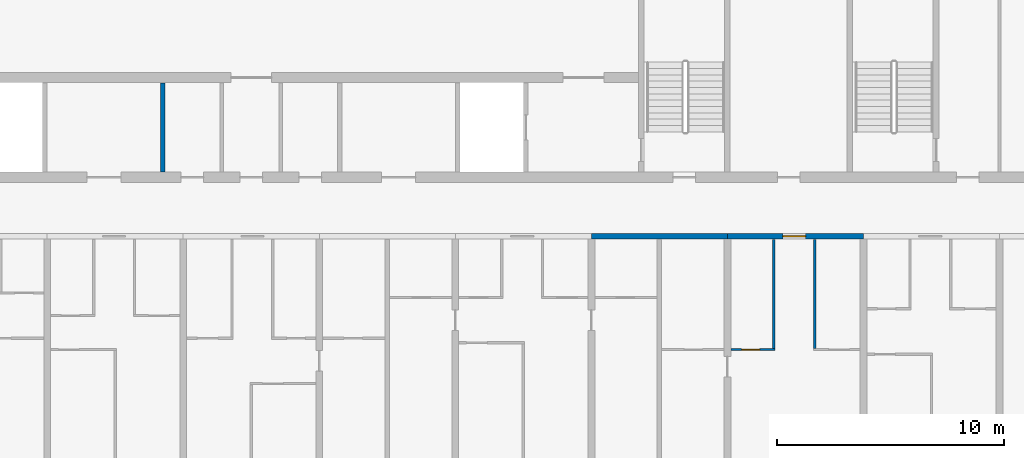
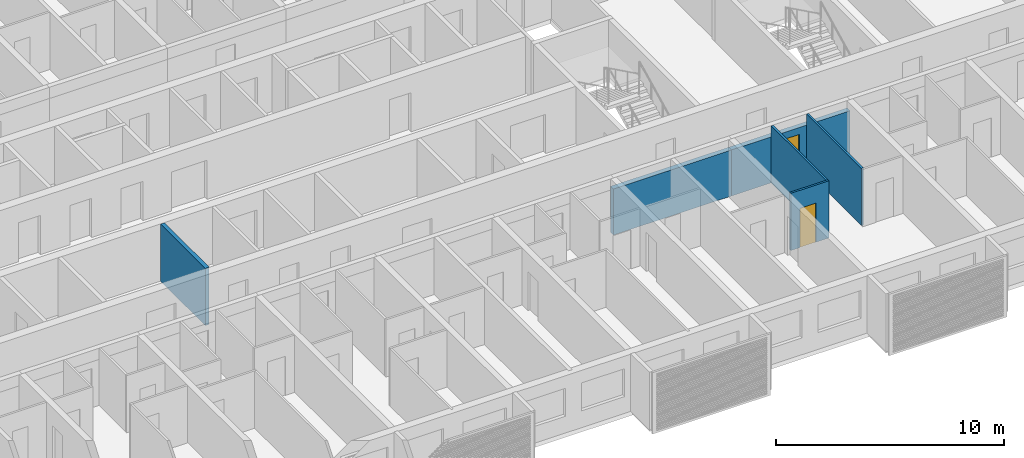
# One storey, part 6 of 33: 6 walls, 2 doors, 2 openings.
"""IFC4 building model written with IfcOpenShell, lengths in metres."""

from ifc_helpers import new_model, si_unit, direction, frame, frame_2d, origin, place, context, subcontext, project, spatial, rectangle, extrude, material, layer, layer_set, type_object, element, fill, save


model = new_model("IFC4")

# Units and contexts
model_context = context("Model", 3, precision=1e-05, world=origin(), true_north=direction((0.0, 1.0)))
body_context = subcontext(model_context, "Body", "Model", "MODEL_VIEW")
ifc_project = project(units=[si_unit("LENGTHUNIT", "METRE"), si_unit("AREAUNIT", "SQUARE_METRE"), si_unit("VOLUMEUNIT", "CUBIC_METRE"), si_unit("PLANEANGLEUNIT", "RADIAN"), si_unit("MASSUNIT", "GRAM", prefix="KILO")], contexts=[model_context])

# Site, building, storey
site_placement = place(None, origin())
site = spatial("IfcSite", under=ifc_project, at=site_placement, CompositionType="ELEMENT")
building_placement = place(site_placement, origin())
building = spatial("IfcBuilding", under=site, at=building_placement, Name="Poui Terraces", CompositionType="ELEMENT")
storey_placement = place(building_placement, frame((0.0, 0.0, 132.300048828125)))
storey = spatial("IfcBuildingStorey", under=building, at=storey_placement, Name="L36", CompositionType="ELEMENT", Elevation=132.300048828125)

# Wall
ifc_material_1 = material(Name="Concrete 65 MPa", Category="concrete")
ifc_layer_1 = layer(ifc_material_1, 0.25)
ifc_layer_set_1 = layer_set([ifc_layer_1], Name="Concrete 65 MPa")
wall_type_1 = type_object("IfcWallType", Name="CORRIDOR WALL 250 65MPa", PredefinedType="SHEAR", material=ifc_layer_set_1)
wall_1_placement = place(storey_placement, frame((66.0, 12.0, 0.0), z_axis=(0.0, 0.0, 1.0), x_axis=(1.0, 0.0, 0.0)))
element("IfcWall", 1, at=wall_1_placement, inside=storey, type_object=wall_type_1, Name="CORRIDOR WALL LINE B BAY 10", PredefinedType="SHEAR", context=body_context, shape_type="SweptSolid", body=[
    extrude(rectangle(XDim=6.0, YDim=0.25, at=frame_2d((3.0, 0.0))), origin(), (0.0, 0.0, 1.0), 2.469970703125),
])

# Wall, opening, door
wall_2_placement = place(storey_placement, frame((72.0, 12.0, 0.0), z_axis=(0.0, 0.0, 1.0), x_axis=(1.0, 0.0, 0.0)))
wall_2 = element("IfcWall", 2, at=wall_2_placement, inside=storey, type_object=wall_type_1, Name="CORRIDOR WALL LINE B BAY 11", PredefinedType="SHEAR", context=body_context, shape_type="SweptSolid", body=[
    extrude(rectangle(XDim=6.0, YDim=0.25, at=frame_2d((3.0, 0.0))), origin(), (0.0, 0.0, 1.0), 2.469970703125),
])
opening_1_placement = place(wall_2_placement, frame((2.449951171875, 0.0, 0.0)))
opening_1 = element("IfcOpeningElement", 3, at=opening_1_placement, cuts=wall_2, Name="Opening FD30S", PredefinedType="OPENING", context=body_context, shape_type="SweptSolid", body=[
    extrude(rectangle(XDim=1.0, YDim=2.10009765625, at=frame_2d((0.5, 1.050048828125))), frame((0.0, 0.135009765625, 0.0), z_axis=(0.0, -1.0, 0.0), x_axis=(1.0, 0.0, 0.0)), (0.0, 0.0, 1.0), 0.27001953125),
])
ifc_material_2 = material(Name="Steel fire door", Category="steel")
door_type_1 = type_object("IfcDoorType", Name="FLAT ENTRANCE DOOR 1000 X 2100", OperationType="NOTDEFINED", PredefinedType="DOOR", material=ifc_material_2)
door_1_placement = place(opening_1_placement, frame((1.0, 0.0, 0.0), z_axis=(0.0, 0.0, 1.0), x_axis=(-1.0, 0.0, 0.0)))
door_1 = element("IfcDoor", 4, at=door_1_placement, inside=storey, type_object=door_type_1, Name="FLAT ENTRANCE DOOR 110", OperationType="SINGLE_SWING_RIGHT", OverallHeight=2.10009765625, OverallWidth=1.0, PredefinedType="DOOR", context=body_context, shape_type="SweptSolid", body=[
    extrude(rectangle(XDim=1.0, YDim=2.10009765625, at=frame_2d((0.5, 1.050048828125))), frame((0.0, 0.02490234375, 0.0), z_axis=(0.0, -1.0, 0.0), x_axis=(1.0, 0.0, 0.0)), (0.0, 0.0, 1.0), 0.050048828125),
])
fill(opening_1, door_1)

ifc_material_3 = material(Name="Plasterboard partition")
ifc_layer_2 = layer(ifc_material_3, 0.10009765625)
ifc_layer_set_2 = layer_set([ifc_layer_2], Name="Plasterboard partition")
wall_type_2 = type_object("IfcWallType", Name="FLAT PARTITION 100", PredefinedType="PARTITIONING", material=ifc_layer_set_2)
wall_3_placement = place(storey_placement, frame((72.159912109375, 7.0, 0.0), z_axis=(0.0, 0.0, 1.0), x_axis=(1.0, 0.0, 0.0)))
wall_3 = element("IfcWall", 5, at=wall_3_placement, inside=storey, type_object=wall_type_2, Name="FLAT PARTITION 100", PredefinedType="PARTITIONING", context=body_context, shape_type="SweptSolid", body=[
    extrude(rectangle(XDim=1.940185546875, YDim=0.10009765625, at=frame_2d((0.97021484375, 0.0))), origin(), (0.0, 0.0, 1.0), 3.070068359375),
])
opening_2_placement = place(wall_3_placement, frame((0.465087890625, 0.0, 0.0)))
opening_2 = element("IfcOpeningElement", 6, at=opening_2_placement, cuts=wall_3, Name="Opening D80", PredefinedType="OPENING", context=body_context, shape_type="SweptSolid", body=[
    extrude(rectangle(XDim=0.800048828125, YDim=2.10009765625, at=frame_2d((0.39990234375, 1.050048828125))), frame((0.0, 0.06005859375, 0.0), z_axis=(0.0, -1.0, 0.0), x_axis=(1.0, 0.0, 0.0)), (0.0, 0.0, 1.0), 0.1201171875),
])
ifc_material_4 = material(Name="Solid core timber door", Category="wood")
door_type_2 = type_object("IfcDoorType", Name="BATHROOM, LAUNDRY AND STORE DOOR 800 X 2100", OperationType="NOTDEFINED", PredefinedType="DOOR", material=ifc_material_4)
door_2_placement = place(opening_2_placement, origin())
door_2 = element("IfcDoor", 7, at=door_2_placement, inside=storey, type_object=door_type_2, Name="BATHROOM, LAUNDRY AND STORE DOOR 109", OperationType="SINGLE_SWING_LEFT", OverallHeight=2.10009765625, OverallWidth=0.800048828125, PredefinedType="DOOR", context=body_context, shape_type="SweptSolid", body=[
    extrude(rectangle(XDim=0.800048828125, YDim=2.10009765625, at=frame_2d((0.39990234375, 1.050048828125))), frame((0.0, 0.02490234375, 0.0), z_axis=(0.0, -1.0, 0.0), x_axis=(1.0, 0.0, 0.0)), (0.0, 0.0, 1.0), 0.050048828125),
])
fill(opening_2, door_2)

# Walls
for number, where, z_axis, x_axis, name in (
    (8, (74.050048828125, 7.050048828125, 0.0), (0.0, 0.0, 1.0), (0.0, 1.0, 0.0), "FLAT PARTITION 100"),
    (9, (75.85009765625, 7.050048828125, 0.0), (0.0, 0.0, 1.0), (0.0, 1.0, 0.0), "FLAT PARTITION 100"),
):
    element("IfcWall", number, at=place(storey_placement, frame(where, z_axis=z_axis, x_axis=x_axis)), inside=storey, type_object=wall_type_2, Name=name, PredefinedType="PARTITIONING", context=body_context, shape_type="SweptSolid", body=[
        extrude(rectangle(XDim=4.81494140625, YDim=0.10009765625, at=frame_2d((2.407470703125, 0.0))), origin(), (0.0, 0.0, 1.0), 3.070068359375),
    ])
ifc_material_5 = material(Name="Fire-rated masonry wall", Category="masonry")
ifc_layer_3 = layer(ifc_material_5, 0.199951171875)
ifc_layer_set_3 = layer_set([ifc_layer_3], Name="Fire-rated masonry wall")
wall_type_3 = type_object("IfcWallType", Name="PLANT ROOM WALL 200", PredefinedType="PARTITIONING", material=ifc_layer_set_3)
wall_4_placement = place(storey_placement, frame((47.10009765625, 14.8349609375, 0.0), z_axis=(0.0, 0.0, 1.0), x_axis=(0.0, 1.0, 0.0)))
element("IfcWall", 10, at=wall_4_placement, inside=storey, type_object=wall_type_3, Name="PLANT ROOM WALL 200", PredefinedType="PARTITIONING", context=body_context, shape_type="SweptSolid", body=[
    extrude(rectangle(XDim=3.929931640625, YDim=0.199951171875, at=frame_2d((1.96484375, 0.0))), origin(), (0.0, 0.0, 1.0), 3.070068359375),
])

save(model, "model.ifc")
